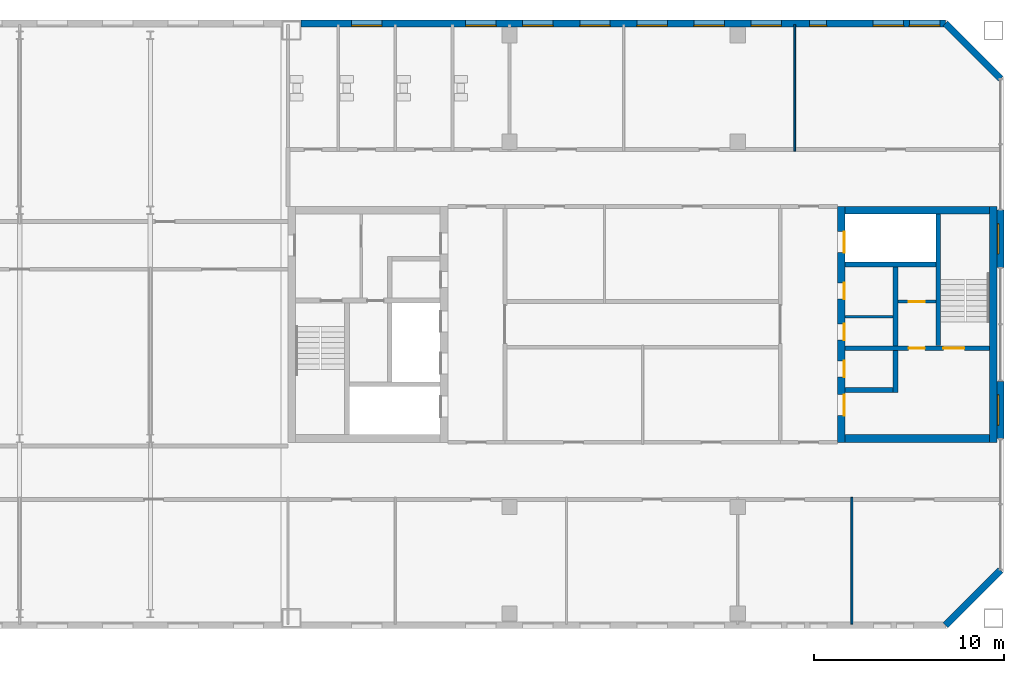
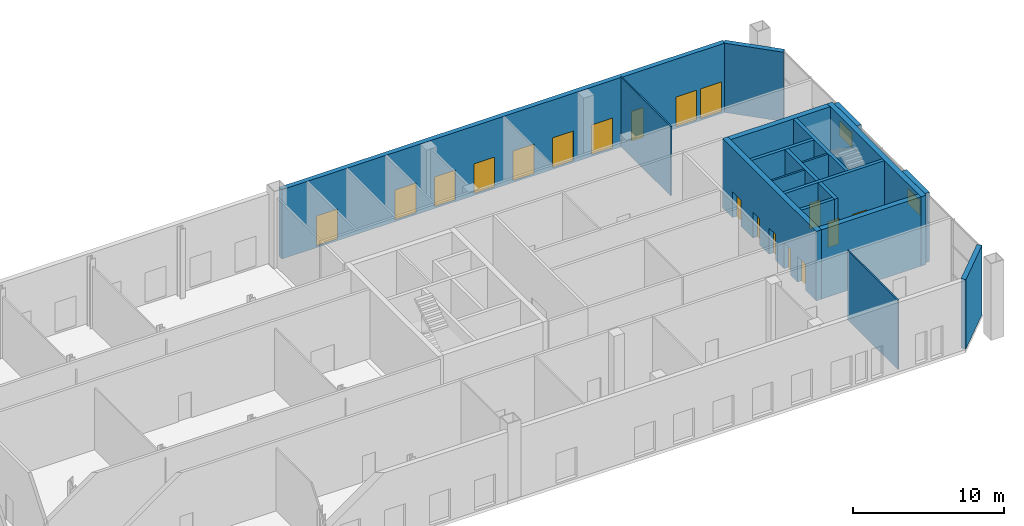
# One storey, part 16 of 20: 19 walls, 12 windows, 8 doors, 20 openings.
"""IFC4 building model written with IfcOpenShell, lengths in metres."""

from ifc_helpers import new_model, si_unit, direction, frame, frame_2d, origin, place, context, subcontext, project, spatial, rectangle, extrude, material, layer, layer_set, type_object, element, fill, save


model = new_model("IFC4")

# Units and contexts
model_context = context("Model", 3, precision=1e-05, world=origin(), true_north=direction((0.0, 1.0)))
body_context = subcontext(model_context, "Body", "Model", "MODEL_VIEW")
ifc_project = project(units=[si_unit("LENGTHUNIT", "METRE"), si_unit("AREAUNIT", "SQUARE_METRE"), si_unit("VOLUMEUNIT", "CUBIC_METRE"), si_unit("PLANEANGLEUNIT", "RADIAN"), si_unit("MASSUNIT", "GRAM", prefix="KILO")], contexts=[model_context])

# Site, building, storey
site_placement = place(None, origin())
site = spatial("IfcSite", under=ifc_project, at=site_placement, CompositionType="ELEMENT")
building_placement = place(site_placement, origin())
building = spatial("IfcBuilding", under=site, at=building_placement, Name="Tuart Gate Housing", CompositionType="ELEMENT")
storey_placement = place(building_placement, frame((0.0, 0.0, 215.199951171875)))
storey = spatial("IfcBuildingStorey", under=building, at=storey_placement, Name="L61", CompositionType="ELEMENT", Elevation=215.199951171875)

# Wall
ifc_material_1 = material(Name="Brick", Category="masonry")
ifc_layer_1 = layer(ifc_material_1, 0.360107421875)
ifc_layer_set_1 = layer_set([ifc_layer_1], Name="Brick pier and spandrel wall 360")
wall_type_1 = type_object("IfcWallType", Name="Brick pier and spandrel wall 360", PredefinedType="STANDARD", material=ifc_layer_set_1)
wall_1_placement = place(storey_placement, frame((165.92529296875, 54.179931640625, 0.0), z_axis=(0.0, 0.0, 1.0), x_axis=(0.707106781187, 0.707106781187, 0.0)))
element("IfcWall", 1, at=wall_1_placement, inside=storey, type_object=wall_type_1, Name="External wall BLK-SE L61", PredefinedType="STANDARD", context=body_context, shape_type="SweptSolid", body=[
    extrude(rectangle(XDim=4.09375, YDim=0.360107421875, at=frame_2d((2.046875, 0.0))), origin(), (0.0, 0.0, 1.0), 5.60009765625),
])

# Wall, opening, window
wall_2_placement = place(storey_placement, frame((168.820068359375, 64.0, 0.0), z_axis=(0.0, 0.0, 1.0), x_axis=(0.0, 1.0, 0.0)))
wall_2 = element("IfcWall", 2, at=wall_2_placement, inside=storey, type_object=wall_type_1, Name="External wall BLK-E L61", PredefinedType="STANDARD", context=body_context, shape_type="SweptSolid", body=[
    extrude(rectangle(XDim=3.0, YDim=0.360107421875, at=frame_2d((1.5, 0.0))), origin(), (0.0, 0.0, 1.0), 5.60009765625),
])
opening_1_placement = place(wall_2_placement, frame((0.699951171875, 0.0, 3.39990234375)))
opening_1 = element("IfcOpeningElement", 3, at=opening_1_placement, cuts=wall_2, Name="Opening W3", PredefinedType="OPENING", context=body_context, shape_type="SweptSolid", body=[
    extrude(rectangle(XDim=1.60009765625, YDim=1.199951171875, at=frame_2d((0.800048828125, 0.60009765625))), frame((0.0, 0.18994140625, 0.0), z_axis=(0.0, -1.0, 0.0), x_axis=(1.0, 0.0, 0.0)), (0.0, 0.0, 1.0), 0.380126953125),
])
ifc_material_2 = material(Name="Aluminium louvre blades", Category="aluminium")
window_type_1 = type_object("IfcWindowType", Name="Louvre window 1600 x 1200", PartitioningType="DOUBLE_PANEL_HORIZONTAL", PredefinedType="WINDOW", material=ifc_material_2)
window_1_placement = place(opening_1_placement, origin())
window_1 = element("IfcWindow", 4, at=window_1_placement, inside=storey, type_object=window_type_1, Name="Louvre W3", OverallHeight=1.199951171875, OverallWidth=1.60009765625, PartitioningType="DOUBLE_PANEL_HORIZONTAL", PredefinedType="WINDOW", context=body_context, shape_type="SweptSolid", body=[
    extrude(rectangle(XDim=1.60009765625, YDim=1.199951171875, at=frame_2d((0.800048828125, 0.60009765625))), frame((0.0, 0.150146484375, 0.0), z_axis=(0.0, -1.0, 0.0), x_axis=(1.0, 0.0, 0.0)), (0.0, 0.0, 1.0), 0.06005859375),
])
fill(opening_1, window_1)

wall_3_placement = place(storey_placement, frame((168.820068359375, 73.0, 0.0), z_axis=(0.0, 0.0, 1.0), x_axis=(0.0, 1.0, 0.0)))
wall_3 = element("IfcWall", 5, at=wall_3_placement, inside=storey, type_object=wall_type_1, Name="External wall BLK-E L61", PredefinedType="STANDARD", context=body_context, shape_type="SweptSolid", body=[
    extrude(rectangle(XDim=3.0, YDim=0.360107421875, at=frame_2d((1.5, 0.0))), origin(), (0.0, 0.0, 1.0), 5.60009765625),
])
opening_2_placement = place(wall_3_placement, frame((0.699951171875, 0.0, 3.39990234375)))
opening_2 = element("IfcOpeningElement", 6, at=opening_2_placement, cuts=wall_3, Name="Opening W3", PredefinedType="OPENING", context=body_context, shape_type="SweptSolid", body=[
    extrude(rectangle(XDim=1.60009765625, YDim=1.199951171875, at=frame_2d((0.800048828125, 0.60009765625))), frame((0.0, 0.18994140625, 0.0), z_axis=(0.0, -1.0, 0.0), x_axis=(1.0, 0.0, 0.0)), (0.0, 0.0, 1.0), 0.380126953125),
])
window_2_placement = place(opening_2_placement, origin())
window_2 = element("IfcWindow", 7, at=window_2_placement, inside=storey, type_object=window_type_1, Name="Louvre W3", OverallHeight=1.199951171875, OverallWidth=1.60009765625, PartitioningType="DOUBLE_PANEL_HORIZONTAL", PredefinedType="WINDOW", context=body_context, shape_type="SweptSolid", body=[
    extrude(rectangle(XDim=1.60009765625, YDim=1.199951171875, at=frame_2d((0.800048828125, 0.60009765625))), frame((0.0, 0.150146484375, 0.0), z_axis=(0.0, -1.0, 0.0), x_axis=(1.0, 0.0, 0.0)), (0.0, 0.0, 1.0), 0.06005859375),
])
fill(opening_2, window_2)

# Wall
wall_4_placement = place(storey_placement, frame((168.820068359375, 82.92529296875, 0.0), z_axis=(0.0, 0.0, 1.0), x_axis=(-0.707106781187, 0.707106781187, 0.0)))
element("IfcWall", 8, at=wall_4_placement, inside=storey, type_object=wall_type_1, Name="External wall BLK-NE L61", PredefinedType="STANDARD", context=body_context, shape_type="SweptSolid", body=[
    extrude(rectangle(XDim=4.09375, YDim=0.360107421875, at=frame_2d((2.046875, 0.0))), origin(), (0.0, 0.0, 1.0), 5.60009765625),
])

# Wall, openings, windows
wall_5_placement = place(storey_placement, frame((165.92529296875, 85.820068359375, 0.0), z_axis=(0.0, 0.0, 1.0), x_axis=(-1.0, 0.0, 0.0)))
wall_5 = element("IfcWall", 9, at=wall_5_placement, inside=storey, type_object=wall_type_1, Name="External wall BLK-N L61", PredefinedType="STANDARD", context=body_context, shape_type="SweptSolid", body=[
    extrude(rectangle(XDim=33.875244140625, YDim=0.360107421875, at=frame_2d((16.9375, 0.0))), origin(), (0.0, 0.0, 1.0), 5.60009765625),
])
opening_3_placement = place(wall_5_placement, frame((0.300048828125, 0.0, 0.14990234375)))
opening_3 = element("IfcOpeningElement", 10, at=opening_3_placement, cuts=wall_5, Name="Opening W2", PredefinedType="OPENING", context=body_context, shape_type="SweptSolid", body=[
    extrude(rectangle(XDim=1.60009765625, YDim=2.39990234375, at=frame_2d((0.800048828125, 1.199951171875))), frame((0.0, 0.18994140625, 0.0), z_axis=(0.0, -1.0, 0.0), x_axis=(1.0, 0.0, 0.0)), (0.0, 0.0, 1.0), 0.380126953125),
])
opening_4_placement = place(wall_5_placement, frame((2.199951171875, 0.0, 0.14990234375)))
opening_4 = element("IfcOpeningElement", 11, at=opening_4_placement, cuts=wall_5, Name="Opening W2", PredefinedType="OPENING", context=body_context, shape_type="SweptSolid", body=[
    extrude(rectangle(XDim=1.60009765625, YDim=2.39990234375, at=frame_2d((0.800048828125, 1.199951171875))), frame((0.0, 0.18994140625, 0.0), z_axis=(0.0, -1.0, 0.0), x_axis=(1.0, 0.0, 0.0)), (0.0, 0.0, 1.0), 0.380126953125),
])
opening_5_placement = place(wall_5_placement, frame((8.62548828125, 0.0, 0.14990234375)))
opening_5 = element("IfcOpeningElement", 12, at=opening_5_placement, cuts=wall_5, Name="Opening W2", PredefinedType="OPENING", context=body_context, shape_type="SweptSolid", body=[
    extrude(rectangle(XDim=1.60009765625, YDim=2.39990234375, at=frame_2d((0.800048828125, 1.199951171875))), frame((0.0, 0.18994140625, 0.0), z_axis=(0.0, -1.0, 0.0), x_axis=(1.0, 0.0, 0.0)), (0.0, 0.0, 1.0), 0.380126953125),
])
opening_6_placement = place(wall_5_placement, frame((11.62548828125, 0.0, 0.14990234375)))
opening_6 = element("IfcOpeningElement", 13, at=opening_6_placement, cuts=wall_5, Name="Opening W2", PredefinedType="OPENING", context=body_context, shape_type="SweptSolid", body=[
    extrude(rectangle(XDim=1.60009765625, YDim=2.39990234375, at=frame_2d((0.800048828125, 1.199951171875))), frame((0.0, 0.18994140625, 0.0), z_axis=(0.0, -1.0, 0.0), x_axis=(1.0, 0.0, 0.0)), (0.0, 0.0, 1.0), 0.380126953125),
])
opening_7_placement = place(wall_5_placement, frame((14.62548828125, 0.0, 0.14990234375)))
opening_7 = element("IfcOpeningElement", 14, at=opening_7_placement, cuts=wall_5, Name="Opening W2", PredefinedType="OPENING", context=body_context, shape_type="SweptSolid", body=[
    extrude(rectangle(XDim=1.60009765625, YDim=2.39990234375, at=frame_2d((0.800048828125, 1.199951171875))), frame((0.0, 0.18994140625, 0.0), z_axis=(0.0, -1.0, 0.0), x_axis=(1.0, 0.0, 0.0)), (0.0, 0.0, 1.0), 0.380126953125),
])
opening_8_placement = place(wall_5_placement, frame((17.62548828125, 0.0, 0.14990234375)))
opening_8 = element("IfcOpeningElement", 15, at=opening_8_placement, cuts=wall_5, Name="Opening W2", PredefinedType="OPENING", context=body_context, shape_type="SweptSolid", body=[
    extrude(rectangle(XDim=1.60009765625, YDim=2.39990234375, at=frame_2d((0.800048828125, 1.199951171875))), frame((0.0, 0.18994140625, 0.0), z_axis=(0.0, -1.0, 0.0), x_axis=(1.0, 0.0, 0.0)), (0.0, 0.0, 1.0), 0.380126953125),
])
opening_9_placement = place(wall_5_placement, frame((20.62548828125, 0.0, 0.14990234375)))
opening_9 = element("IfcOpeningElement", 16, at=opening_9_placement, cuts=wall_5, Name="Opening W2", PredefinedType="OPENING", context=body_context, shape_type="SweptSolid", body=[
    extrude(rectangle(XDim=1.60009765625, YDim=2.39990234375, at=frame_2d((0.800048828125, 1.199951171875))), frame((0.0, 0.18994140625, 0.0), z_axis=(0.0, -1.0, 0.0), x_axis=(1.0, 0.0, 0.0)), (0.0, 0.0, 1.0), 0.380126953125),
])
opening_10_placement = place(wall_5_placement, frame((23.62548828125, 0.0, 0.14990234375)))
opening_10 = element("IfcOpeningElement", 17, at=opening_10_placement, cuts=wall_5, Name="Opening W2", PredefinedType="OPENING", context=body_context, shape_type="SweptSolid", body=[
    extrude(rectangle(XDim=1.60009765625, YDim=2.39990234375, at=frame_2d((0.800048828125, 1.199951171875))), frame((0.0, 0.18994140625, 0.0), z_axis=(0.0, -1.0, 0.0), x_axis=(1.0, 0.0, 0.0)), (0.0, 0.0, 1.0), 0.380126953125),
])
opening_11_placement = place(wall_5_placement, frame((29.62548828125, 0.0, 0.14990234375)))
opening_11 = element("IfcOpeningElement", 18, at=opening_11_placement, cuts=wall_5, Name="Opening W2", PredefinedType="OPENING", context=body_context, shape_type="SweptSolid", body=[
    extrude(rectangle(XDim=1.60009765625, YDim=2.39990234375, at=frame_2d((0.800048828125, 1.199951171875))), frame((0.0, 0.18994140625, 0.0), z_axis=(0.0, -1.0, 0.0), x_axis=(1.0, 0.0, 0.0)), (0.0, 0.0, 1.0), 0.380126953125),
])
opening_12_placement = place(wall_5_placement, frame((6.25, 0.0, 0.14990234375)))
opening_12 = element("IfcOpeningElement", 19, at=opening_12_placement, cuts=wall_5, Name="Opening W2B", PredefinedType="OPENING", context=body_context, shape_type="SweptSolid", body=[
    extrude(rectangle(XDim=0.89990234375, YDim=2.39990234375, at=frame_2d((0.449951171875, 1.199951171875))), frame((0.0, 0.18994140625, 0.0), z_axis=(0.0, -1.0, 0.0), x_axis=(1.0, 0.0, 0.0)), (0.0, 0.0, 1.0), 0.380126953125),
])
ifc_material_3 = material(Name="Aluminium frame with clear glass", Category="aluminium")
window_type_2 = type_object("IfcWindowType", Name="Garden lounge window 1600 x 2400", PartitioningType="SINGLE_PANEL", PredefinedType="WINDOW", material=ifc_material_3)
window_3_placement = place(opening_3_placement, origin())
window_3 = element("IfcWindow", 20, at=window_3_placement, inside=storey, type_object=window_type_2, Name="Window W2", OverallHeight=2.39990234375, OverallWidth=1.60009765625, PartitioningType="SINGLE_PANEL", PredefinedType="WINDOW", context=body_context, shape_type="SweptSolid", body=[
    extrude(rectangle(XDim=1.60009765625, YDim=2.39990234375, at=frame_2d((0.800048828125, 1.199951171875))), frame((0.0, 0.150146484375, 0.0), z_axis=(0.0, -1.0, 0.0), x_axis=(1.0, 0.0, 0.0)), (0.0, 0.0, 1.0), 0.06005859375),
])
fill(opening_3, window_3)
window_4_placement = place(opening_4_placement, origin())
window_4 = element("IfcWindow", 21, at=window_4_placement, inside=storey, type_object=window_type_2, Name="Window W2", OverallHeight=2.39990234375, OverallWidth=1.60009765625, PartitioningType="SINGLE_PANEL", PredefinedType="WINDOW", context=body_context, shape_type="SweptSolid", body=[
    extrude(rectangle(XDim=1.60009765625, YDim=2.39990234375, at=frame_2d((0.800048828125, 1.199951171875))), frame((0.0, 0.150146484375, 0.0), z_axis=(0.0, -1.0, 0.0), x_axis=(1.0, 0.0, 0.0)), (0.0, 0.0, 1.0), 0.06005859375),
])
fill(opening_4, window_4)
window_5_placement = place(opening_5_placement, origin())
window_5 = element("IfcWindow", 22, at=window_5_placement, inside=storey, type_object=window_type_2, Name="Window W2", OverallHeight=2.39990234375, OverallWidth=1.60009765625, PartitioningType="SINGLE_PANEL", PredefinedType="WINDOW", context=body_context, shape_type="SweptSolid", body=[
    extrude(rectangle(XDim=1.60009765625, YDim=2.39990234375, at=frame_2d((0.800048828125, 1.199951171875))), frame((0.0, 0.150146484375, 0.0), z_axis=(0.0, -1.0, 0.0), x_axis=(1.0, 0.0, 0.0)), (0.0, 0.0, 1.0), 0.06005859375),
])
fill(opening_5, window_5)
window_6_placement = place(opening_6_placement, origin())
window_6 = element("IfcWindow", 23, at=window_6_placement, inside=storey, type_object=window_type_2, Name="Window W2", OverallHeight=2.39990234375, OverallWidth=1.60009765625, PartitioningType="SINGLE_PANEL", PredefinedType="WINDOW", context=body_context, shape_type="SweptSolid", body=[
    extrude(rectangle(XDim=1.60009765625, YDim=2.39990234375, at=frame_2d((0.800048828125, 1.199951171875))), frame((0.0, 0.150146484375, 0.0), z_axis=(0.0, -1.0, 0.0), x_axis=(1.0, 0.0, 0.0)), (0.0, 0.0, 1.0), 0.06005859375),
])
fill(opening_6, window_6)
window_7_placement = place(opening_7_placement, origin())
window_7 = element("IfcWindow", 24, at=window_7_placement, inside=storey, type_object=window_type_2, Name="Window W2", OverallHeight=2.39990234375, OverallWidth=1.60009765625, PartitioningType="SINGLE_PANEL", PredefinedType="WINDOW", context=body_context, shape_type="SweptSolid", body=[
    extrude(rectangle(XDim=1.60009765625, YDim=2.39990234375, at=frame_2d((0.800048828125, 1.199951171875))), frame((0.0, 0.150146484375, 0.0), z_axis=(0.0, -1.0, 0.0), x_axis=(1.0, 0.0, 0.0)), (0.0, 0.0, 1.0), 0.06005859375),
])
fill(opening_7, window_7)
window_8_placement = place(opening_8_placement, origin())
window_8 = element("IfcWindow", 25, at=window_8_placement, inside=storey, type_object=window_type_2, Name="Window W2", OverallHeight=2.39990234375, OverallWidth=1.60009765625, PartitioningType="SINGLE_PANEL", PredefinedType="WINDOW", context=body_context, shape_type="SweptSolid", body=[
    extrude(rectangle(XDim=1.60009765625, YDim=2.39990234375, at=frame_2d((0.800048828125, 1.199951171875))), frame((0.0, 0.150146484375, 0.0), z_axis=(0.0, -1.0, 0.0), x_axis=(1.0, 0.0, 0.0)), (0.0, 0.0, 1.0), 0.06005859375),
])
fill(opening_8, window_8)
window_9_placement = place(opening_9_placement, origin())
window_9 = element("IfcWindow", 26, at=window_9_placement, inside=storey, type_object=window_type_2, Name="Window W2", OverallHeight=2.39990234375, OverallWidth=1.60009765625, PartitioningType="SINGLE_PANEL", PredefinedType="WINDOW", context=body_context, shape_type="SweptSolid", body=[
    extrude(rectangle(XDim=1.60009765625, YDim=2.39990234375, at=frame_2d((0.800048828125, 1.199951171875))), frame((0.0, 0.150146484375, 0.0), z_axis=(0.0, -1.0, 0.0), x_axis=(1.0, 0.0, 0.0)), (0.0, 0.0, 1.0), 0.06005859375),
])
fill(opening_9, window_9)
window_10_placement = place(opening_10_placement, origin())
window_10 = element("IfcWindow", 27, at=window_10_placement, inside=storey, type_object=window_type_2, Name="Window W2", OverallHeight=2.39990234375, OverallWidth=1.60009765625, PartitioningType="SINGLE_PANEL", PredefinedType="WINDOW", context=body_context, shape_type="SweptSolid", body=[
    extrude(rectangle(XDim=1.60009765625, YDim=2.39990234375, at=frame_2d((0.800048828125, 1.199951171875))), frame((0.0, 0.150146484375, 0.0), z_axis=(0.0, -1.0, 0.0), x_axis=(1.0, 0.0, 0.0)), (0.0, 0.0, 1.0), 0.06005859375),
])
fill(opening_10, window_10)
window_11_placement = place(opening_11_placement, origin())
window_11 = element("IfcWindow", 28, at=window_11_placement, inside=storey, type_object=window_type_2, Name="Window W2", OverallHeight=2.39990234375, OverallWidth=1.60009765625, PartitioningType="SINGLE_PANEL", PredefinedType="WINDOW", context=body_context, shape_type="SweptSolid", body=[
    extrude(rectangle(XDim=1.60009765625, YDim=2.39990234375, at=frame_2d((0.800048828125, 1.199951171875))), frame((0.0, 0.150146484375, 0.0), z_axis=(0.0, -1.0, 0.0), x_axis=(1.0, 0.0, 0.0)), (0.0, 0.0, 1.0), 0.06005859375),
])
fill(opening_11, window_11)
ifc_material_4 = material(Name="Aluminium frame with clear glass", Category="aluminium")
window_type_3 = type_object("IfcWindowType", Name="Garden lounge window 900 x 2400", PartitioningType="SINGLE_PANEL", PredefinedType="WINDOW", material=ifc_material_4)
window_12_placement = place(opening_12_placement, origin())
window_12 = element("IfcWindow", 29, at=window_12_placement, inside=storey, type_object=window_type_3, Name="Window W2B", OverallHeight=2.39990234375, OverallWidth=0.89990234375, PartitioningType="SINGLE_PANEL", PredefinedType="WINDOW", context=body_context, shape_type="SweptSolid", body=[
    extrude(rectangle(XDim=0.89990234375, YDim=2.39990234375, at=frame_2d((0.449951171875, 1.199951171875))), frame((0.0, 0.150146484375, 0.0), z_axis=(0.0, -1.0, 0.0), x_axis=(1.0, 0.0, 0.0)), (0.0, 0.0, 1.0), 0.06005859375),
])
fill(opening_12, window_12)

# Wall, opening, door
ifc_material_5 = material(Name="Plasterboard partition")
ifc_layer_2 = layer(ifc_material_5, 0.14990234375)
ifc_layer_set_2 = layer_set([ifc_layer_2], Name="Core partition 150")
wall_type_2 = type_object("IfcWallType", Name="Core partition 150", PredefinedType="PARTITIONING", material=ifc_layer_set_2)
wall_6_placement = place(storey_placement, frame((163.4150390625, 71.199951171875, 0.0), z_axis=(0.0, 0.0, 1.0), x_axis=(1.0, 0.0, 0.0)))
wall_6 = element("IfcWall", 30, at=wall_6_placement, inside=storey, type_object=wall_type_2, Name="Core partition BK.2", PredefinedType="PARTITIONING", context=body_context, shape_type="SweptSolid", body=[
    extrude(rectangle(XDim=2.0, YDim=0.14990234375, at=frame_2d((1.0, 0.0))), origin(), (0.0, 0.0, 1.0), 5.60009765625),
])
opening_13_placement = place(wall_6_placement, frame((0.574951171875, 0.0, 0.0)))
opening_13 = element("IfcOpeningElement", 31, at=opening_13_placement, cuts=wall_6, Name="Opening D3071", PredefinedType="OPENING", context=body_context, shape_type="SweptSolid", body=[
    extrude(rectangle(XDim=0.85009765625, YDim=2.10009765625, at=frame_2d((0.425048828125, 1.050048828125))), frame((0.0, 0.0849609375, 0.0), z_axis=(0.0, -1.0, 0.0), x_axis=(1.0, 0.0, 0.0)), (0.0, 0.0, 1.0), 0.169921875),
])
ifc_material_6 = material(Name="Steel fire door", Category="steel")
door_type_1 = type_object("IfcDoorType", Name="Service door 850 x 2100 RH", OperationType="SINGLE_SWING_RIGHT", PredefinedType="DOOR", material=ifc_material_6)
door_1_placement = place(opening_13_placement, frame((0.85009765625, 0.0, 0.0), z_axis=(0.0, 0.0, 1.0), x_axis=(-1.0, 0.0, 0.0)))
door_1 = element("IfcDoor", 32, at=door_1_placement, inside=storey, type_object=door_type_1, Name="Service room door BK.W2", OperationType="SINGLE_SWING_RIGHT", OverallHeight=2.10009765625, OverallWidth=0.85009765625, PredefinedType="DOOR", context=body_context, shape_type="SweptSolid", body=[
    extrude(rectangle(XDim=0.85009765625, YDim=2.10009765625, at=frame_2d((0.425048828125, 1.050048828125))), frame((0.0, 0.025146484375, 0.0), z_axis=(0.0, -1.0, 0.0), x_axis=(1.0, 0.0, 0.0)), (0.0, 0.0, 1.0), 0.050048828125),
])
fill(opening_13, door_1)

# Walls
wall_7_placement = place(storey_placement, frame((160.639892578125, 70.39990234375, 0.0), z_axis=(0.0, 0.0, 1.0), x_axis=(1.0, 0.0, 0.0)))
element("IfcWall", 33, at=wall_7_placement, inside=storey, type_object=wall_type_2, Name="Core partition BK.3", PredefinedType="PARTITIONING", context=body_context, shape_type="SweptSolid", body=[
    extrude(rectangle(XDim=2.525146484375, YDim=0.14990234375, at=frame_2d((1.2626953125, 0.0))), origin(), (0.0, 0.0, 1.0), 5.60009765625),
])
ifc_material_7 = material(Name="Concrete C40", Category="concrete")
ifc_layer_3 = layer(ifc_material_7, 0.25)
ifc_layer_set_3 = layer_set([ifc_layer_3], Name="Core wall 250 C40")
wall_type_3 = type_object("IfcWallType", Name="Core wall 250 C40", PredefinedType="SHEAR", material=ifc_layer_set_3)
wall_8_placement = place(storey_placement, frame((160.639892578125, 73.14990234375, 0.0), z_axis=(0.0, 0.0, 1.0), x_axis=(1.0, 0.0, 0.0)))
element("IfcWall", 34, at=wall_8_placement, inside=storey, type_object=wall_type_3, Name="Core wall BK.1", PredefinedType="SHEAR", context=body_context, shape_type="SweptSolid", body=[
    extrude(rectangle(XDim=4.775146484375, YDim=0.25, at=frame_2d((2.3876953125, 0.0))), origin(), (0.0, 0.0, 1.0), 5.60009765625),
])

# Wall, openings, doors
wall_9_placement = place(storey_placement, frame((160.639892578125, 68.75, 0.0), z_axis=(0.0, 0.0, 1.0), x_axis=(1.0, 0.0, 0.0)))
wall_9 = element("IfcWall", 35, at=wall_9_placement, inside=storey, type_object=wall_type_3, Name="Core wall BK.4", PredefinedType="SHEAR", context=body_context, shape_type="SweptSolid", body=[
    extrude(rectangle(XDim=7.60009765625, YDim=0.25, at=frame_2d((3.800048828125, 0.0))), origin(), (0.0, 0.0, 1.0), 5.60009765625),
])
opening_14_placement = place(wall_9_placement, frame((5.175048828125, 0.0, 0.0)))
opening_14 = element("IfcOpeningElement", 36, at=opening_14_placement, cuts=wall_9, Name="Opening D3082", PredefinedType="OPENING", context=body_context, shape_type="SweptSolid", body=[
    extrude(rectangle(XDim=1.10009765625, YDim=2.10009765625, at=frame_2d((0.550048828125, 1.050048828125))), frame((0.0, 0.135009765625, 0.0), z_axis=(0.0, -1.0, 0.0), x_axis=(1.0, 0.0, 0.0)), (0.0, 0.0, 1.0), 0.27001953125),
])
opening_15_placement = place(wall_9_placement, frame((3.35009765625, 0.0, 0.0)))
opening_15 = element("IfcOpeningElement", 37, at=opening_15_placement, cuts=wall_9, Name="Opening D3081", PredefinedType="OPENING", context=body_context, shape_type="SweptSolid", body=[
    extrude(rectangle(XDim=0.85009765625, YDim=2.10009765625, at=frame_2d((0.425048828125, 1.050048828125))), frame((0.0, 0.135009765625, 0.0), z_axis=(0.0, -1.0, 0.0), x_axis=(1.0, 0.0, 0.0)), (0.0, 0.0, 1.0), 0.27001953125),
])
ifc_material_8 = material(Name="Steel fire door", Category="steel")
door_type_2 = type_object("IfcDoorType", Name="Riser door 850 x 2100", OperationType="SINGLE_SWING_LEFT", PredefinedType="DOOR", material=ifc_material_8)
door_2_placement = place(opening_15_placement, origin())
door_2 = element("IfcDoor", 38, at=door_2_placement, inside=storey, type_object=door_type_2, Name="Service room door BK.W1", OperationType="SINGLE_SWING_LEFT", OverallHeight=2.10009765625, OverallWidth=0.85009765625, PredefinedType="DOOR", context=body_context, shape_type="SweptSolid", body=[
    extrude(rectangle(XDim=0.85009765625, YDim=2.10009765625, at=frame_2d((0.425048828125, 1.050048828125))), frame((0.0, 0.02490234375, 0.0), z_axis=(0.0, -1.0, 0.0), x_axis=(1.0, 0.0, 0.0)), (0.0, 0.0, 1.0), 0.050048828125),
])
fill(opening_15, door_2)
ifc_material_9 = material(Name="Steel fire door", Category="steel")
door_type_3 = type_object("IfcDoorType", Name="Stair door 1100 x 2100", OperationType="SINGLE_SWING_LEFT", PredefinedType="DOOR", material=ifc_material_9)
door_3_placement = place(opening_14_placement, origin())
door_3 = element("IfcDoor", 39, at=door_3_placement, inside=storey, type_object=door_type_3, Name="Stair door BK.SD", OperationType="SINGLE_SWING_LEFT", OverallHeight=2.10009765625, OverallWidth=1.10009765625, PredefinedType="DOOR", context=body_context, shape_type="SweptSolid", body=[
    extrude(rectangle(XDim=1.10009765625, YDim=2.10009765625, at=frame_2d((0.550048828125, 1.050048828125))), frame((0.0, 0.02490234375, 0.0), z_axis=(0.0, -1.0, 0.0), x_axis=(1.0, 0.0, 0.0)), (0.0, 0.0, 1.0), 0.050048828125),
])
fill(opening_14, door_3)

# Walls
wall_10_placement = place(storey_placement, frame((160.639892578125, 66.550048828125, 0.0), z_axis=(0.0, 0.0, 1.0), x_axis=(1.0, 0.0, 0.0)))
element("IfcWall", 40, at=wall_10_placement, inside=storey, type_object=wall_type_3, Name="Core wall BK.5", PredefinedType="SHEAR", context=body_context, shape_type="SweptSolid", body=[
    extrude(rectangle(XDim=2.525146484375, YDim=0.25, at=frame_2d((1.2626953125, 0.0))), origin(), (0.0, 0.0, 1.0), 5.60009765625),
])
wall_11_placement = place(storey_placement, frame((163.2900390625, 73.02490234375, 0.0), z_axis=(0.0, 0.0, 1.0), x_axis=(0.0, -1.0, 0.0)))
element("IfcWall", 41, at=wall_11_placement, inside=storey, type_object=wall_type_3, Name="Core wall BK.6", PredefinedType="SHEAR", context=body_context, shape_type="SweptSolid", body=[
    extrude(rectangle(XDim=4.14990234375, YDim=0.25, at=frame_2d((2.074951171875, 0.0))), origin(), (0.0, 0.0, 1.0), 5.60009765625),
])
wall_12_placement = place(storey_placement, frame((163.2900390625, 68.625, 0.0), z_axis=(0.0, 0.0, 1.0), x_axis=(0.0, -1.0, 0.0)))
element("IfcWall", 42, at=wall_12_placement, inside=storey, type_object=wall_type_3, Name="Core wall BK.7", PredefinedType="SHEAR", context=body_context, shape_type="SweptSolid", body=[
    extrude(rectangle(XDim=2.199951171875, YDim=0.25, at=frame_2d((1.10009765625, 0.0))), origin(), (0.0, 0.0, 1.0), 5.60009765625),
])
wall_13_placement = place(storey_placement, frame((165.5400390625, 75.800048828125, 0.0), z_axis=(0.0, 0.0, 1.0), x_axis=(0.0, -1.0, 0.0)))
element("IfcWall", 43, at=wall_13_placement, inside=storey, type_object=wall_type_3, Name="Core wall BK.8", PredefinedType="SHEAR", context=body_context, shape_type="SweptSolid", body=[
    extrude(rectangle(XDim=6.925048828125, YDim=0.25, at=frame_2d((3.46240234375, 0.0))), origin(), (0.0, 0.0, 1.0), 5.60009765625),
])

# Wall, openings, doors
ifc_material_10 = material(Name="Concrete C40", Category="concrete")
ifc_layer_4 = layer(ifc_material_10, 0.39990234375)
ifc_layer_set_4 = layer_set([ifc_layer_4], Name="Core wall 400 C40")
wall_type_4 = type_object("IfcWallType", Name="Core wall 400 C40", PredefinedType="SHEAR", material=ifc_layer_set_4)
wall_14_placement = place(storey_placement, frame((160.43994140625, 76.199951171875, 0.0), z_axis=(0.0, 0.0, 1.0), x_axis=(0.0, -1.0, 0.0)))
wall_14 = element("IfcWall", 44, at=wall_14_placement, inside=storey, type_object=wall_type_4, Name="Core wall BK front", PredefinedType="SHEAR", context=body_context, shape_type="SweptSolid", body=[
    extrude(rectangle(XDim=12.39990234375, YDim=0.39990234375, at=frame_2d((6.199951171875, 0.0))), origin(), (0.0, 0.0, 1.0), 5.60009765625),
])
opening_16_placement = place(wall_14_placement, frame((1.324951171875, 0.0, 0.0)))
opening_16 = element("IfcOpeningElement", 45, at=opening_16_placement, cuts=wall_14, Name="Opening LD-FB2", PredefinedType="OPENING", context=body_context, shape_type="SweptSolid", body=[
    extrude(rectangle(XDim=1.10009765625, YDim=2.10009765625, at=frame_2d((0.550048828125, 1.050048828125))), frame((0.0, 0.2099609375, 0.0), z_axis=(0.0, -1.0, 0.0), x_axis=(1.0, 0.0, 0.0)), (0.0, 0.0, 1.0), 0.419921875),
])
opening_17_placement = place(wall_14_placement, frame((4.02490234375, 0.0, 0.0)))
opening_17 = element("IfcOpeningElement", 46, at=opening_17_placement, cuts=wall_14, Name="Opening D3078", PredefinedType="OPENING", context=body_context, shape_type="SweptSolid", body=[
    extrude(rectangle(XDim=0.85009765625, YDim=2.10009765625, at=frame_2d((0.425048828125, 1.050048828125))), frame((0.0, 0.2099609375, 0.0), z_axis=(0.0, -1.0, 0.0), x_axis=(1.0, 0.0, 0.0)), (0.0, 0.0, 1.0), 0.419921875),
])
opening_18_placement = place(wall_14_placement, frame((6.175048828125, 0.0, 0.0)))
opening_18 = element("IfcOpeningElement", 47, at=opening_18_placement, cuts=wall_14, Name="Opening D3079", PredefinedType="OPENING", context=body_context, shape_type="SweptSolid", body=[
    extrude(rectangle(XDim=0.85009765625, YDim=2.10009765625, at=frame_2d((0.425048828125, 1.050048828125))), frame((0.0, 0.2099609375, 0.0), z_axis=(0.0, -1.0, 0.0), x_axis=(1.0, 0.0, 0.0)), (0.0, 0.0, 1.0), 0.419921875),
])
opening_19_placement = place(wall_14_placement, frame((9.89990234375, 0.0, 0.0)))
opening_19 = element("IfcOpeningElement", 48, at=opening_19_placement, cuts=wall_14, Name="Opening D3077", PredefinedType="OPENING", context=body_context, shape_type="SweptSolid", body=[
    extrude(rectangle(XDim=1.10009765625, YDim=2.10009765625, at=frame_2d((0.550048828125, 1.050048828125))), frame((0.0, 0.2099609375, 0.0), z_axis=(0.0, -1.0, 0.0), x_axis=(1.0, 0.0, 0.0)), (0.0, 0.0, 1.0), 0.419921875),
])
opening_20_placement = place(wall_14_placement, frame((8.125, 0.0, 0.0)))
opening_20 = element("IfcOpeningElement", 49, at=opening_20_placement, cuts=wall_14, Name="Opening D3080", PredefinedType="OPENING", context=body_context, shape_type="SweptSolid", body=[
    extrude(rectangle(XDim=0.85009765625, YDim=2.10009765625, at=frame_2d((0.425048828125, 1.050048828125))), frame((0.0, 0.2099609375, 0.0), z_axis=(0.0, -1.0, 0.0), x_axis=(1.0, 0.0, 0.0)), (0.0, 0.0, 1.0), 0.419921875),
])
ifc_material_11 = material(Name="Stainless steel", Category="steel")
door_type_4 = type_object("IfcDoorType", Name="Landing door 1100 x 2100", OperationType="DOUBLE_DOOR_SLIDING", PredefinedType="DOOR", material=ifc_material_11)
door_4_placement = place(opening_16_placement, origin())
door_4 = element("IfcDoor", 50, at=door_4_placement, inside=storey, type_object=door_type_4, Name="Lift landing door FB2", OperationType="DOUBLE_DOOR_SLIDING", OverallHeight=2.10009765625, OverallWidth=1.10009765625, PredefinedType="DOOR", context=body_context, shape_type="SweptSolid", body=[
    extrude(rectangle(XDim=1.10009765625, YDim=2.10009765625, at=frame_2d((0.550048828125, 1.050048828125))), frame((0.0, 0.18505859375, 0.0), z_axis=(0.0, -1.0, 0.0), x_axis=(1.0, 0.0, 0.0)), (0.0, 0.0, 1.0), 0.050048828125),
])
fill(opening_16, door_4)
ifc_material_12 = material(Name="Steel fire door", Category="steel")
door_type_5 = type_object("IfcDoorType", Name="Lobby door 1100 x 2100", OperationType="SINGLE_SWING_LEFT", PredefinedType="DOOR", material=ifc_material_12)
door_5_placement = place(opening_19_placement, origin())
door_5 = element("IfcDoor", 51, at=door_5_placement, inside=storey, type_object=door_type_5, Name="Lobby entry door BK.EN", OperationType="SINGLE_SWING_LEFT", OverallHeight=2.10009765625, OverallWidth=1.10009765625, PredefinedType="DOOR", context=body_context, shape_type="SweptSolid", body=[
    extrude(rectangle(XDim=1.10009765625, YDim=2.10009765625, at=frame_2d((0.550048828125, 1.050048828125))), frame((0.0, 0.18505859375, 0.0), z_axis=(0.0, -1.0, 0.0), x_axis=(1.0, 0.0, 0.0)), (0.0, 0.0, 1.0), 0.050048828125),
])
fill(opening_19, door_5)
ifc_material_13 = material(Name="Steel fire door", Category="steel")
door_type_6 = type_object("IfcDoorType", Name="Service door 850 x 2100", OperationType="SINGLE_SWING_LEFT", PredefinedType="DOOR", material=ifc_material_13)
door_6_placement = place(opening_17_placement, origin())
door_6 = element("IfcDoor", 52, at=door_6_placement, inside=storey, type_object=door_type_6, Name="Service room door BK.FR1", OperationType="SINGLE_SWING_LEFT", OverallHeight=2.10009765625, OverallWidth=0.85009765625, PredefinedType="DOOR", context=body_context, shape_type="SweptSolid", body=[
    extrude(rectangle(XDim=0.85009765625, YDim=2.10009765625, at=frame_2d((0.425048828125, 1.050048828125))), frame((0.0, 0.18505859375, 0.0), z_axis=(0.0, -1.0, 0.0), x_axis=(1.0, 0.0, 0.0)), (0.0, 0.0, 1.0), 0.050048828125),
])
fill(opening_17, door_6)
door_7_placement = place(opening_18_placement, origin())
door_7 = element("IfcDoor", 53, at=door_7_placement, inside=storey, type_object=door_type_6, Name="Service room door BK.FR2", OperationType="SINGLE_SWING_LEFT", OverallHeight=2.10009765625, OverallWidth=0.85009765625, PredefinedType="DOOR", context=body_context, shape_type="SweptSolid", body=[
    extrude(rectangle(XDim=0.85009765625, YDim=2.10009765625, at=frame_2d((0.425048828125, 1.050048828125))), frame((0.0, 0.18505859375, 0.0), z_axis=(0.0, -1.0, 0.0), x_axis=(1.0, 0.0, 0.0)), (0.0, 0.0, 1.0), 0.050048828125),
])
fill(opening_18, door_7)
door_8_placement = place(opening_20_placement, origin())
door_8 = element("IfcDoor", 54, at=door_8_placement, inside=storey, type_object=door_type_6, Name="Service room door BK.T1", OperationType="SINGLE_SWING_LEFT", OverallHeight=2.10009765625, OverallWidth=0.85009765625, PredefinedType="DOOR", context=body_context, shape_type="SweptSolid", body=[
    extrude(rectangle(XDim=0.85009765625, YDim=2.10009765625, at=frame_2d((0.425048828125, 1.050048828125))), frame((0.0, 0.18505859375, 0.0), z_axis=(0.0, -1.0, 0.0), x_axis=(1.0, 0.0, 0.0)), (0.0, 0.0, 1.0), 0.050048828125),
])
fill(opening_20, door_8)

# Walls
wall_15_placement = place(storey_placement, frame((168.43994140625, 76.199951171875, 0.0), z_axis=(0.0, 0.0, 1.0), x_axis=(0.0, -1.0, 0.0)))
element("IfcWall", 55, at=wall_15_placement, inside=storey, type_object=wall_type_4, Name="Core wall BK back", PredefinedType="SHEAR", context=body_context, shape_type="SweptSolid", body=[
    extrude(rectangle(XDim=12.39990234375, YDim=0.39990234375, at=frame_2d((6.199951171875, 0.0))), origin(), (0.0, 0.0, 1.0), 5.60009765625),
])
for number, where, z_axis, x_axis, name in (
    (56, (160.639892578125, 76.0, 0.0), (0.0, 0.0, 1.0), (1.0, 0.0, 0.0), "Core wall BK south"),
    (57, (160.639892578125, 64.0, 0.0), (0.0, 0.0, 1.0), (1.0, 0.0, 0.0), "Core wall BK north"),
):
    element("IfcWall", number, at=place(storey_placement, frame(where, z_axis=z_axis, x_axis=x_axis)), inside=storey, type_object=wall_type_4, Name=name, PredefinedType="SHEAR", context=body_context, shape_type="SweptSolid", body=[
        extrude(rectangle(XDim=7.60009765625, YDim=0.39990234375, at=frame_2d((3.800048828125, 0.0))), origin(), (0.0, 0.0, 1.0), 5.60009765625),
    ])
ifc_material_14 = material(Name="Gypsum board on steel studs", Category="steel")
ifc_layer_5 = layer(ifc_material_14, 0.10009765625)
ifc_layer_set_5 = layer_set([ifc_layer_5], Name="Partition 100")
wall_type_5 = type_object("IfcWallType", Name="Partition 100", PredefinedType="PARTITIONING", material=ifc_layer_set_5)
for number, where, z_axis, x_axis, name in (
    (58, (158.0, 79.10009765625, 0.0), (0.0, 0.0, 1.0), (0.0, 1.0, 0.0), "Partition 100"),
    (59, (161.0, 54.239990234375, 0.0), (0.0, 0.0, 1.0), (0.0, 1.0, 0.0), "Partition 100"),
):
    element("IfcWall", number, at=place(storey_placement, frame(where, z_axis=z_axis, x_axis=x_axis)), inside=storey, type_object=wall_type_5, Name=name, PredefinedType="PARTITIONING", context=body_context, shape_type="SweptSolid", body=[
        extrude(rectangle(XDim=6.659912109375, YDim=0.10009765625, at=frame_2d((3.330078125, 0.0))), origin(), (0.0, 0.0, 1.0), 5.60009765625),
    ])

save(model, "model.ifc")
